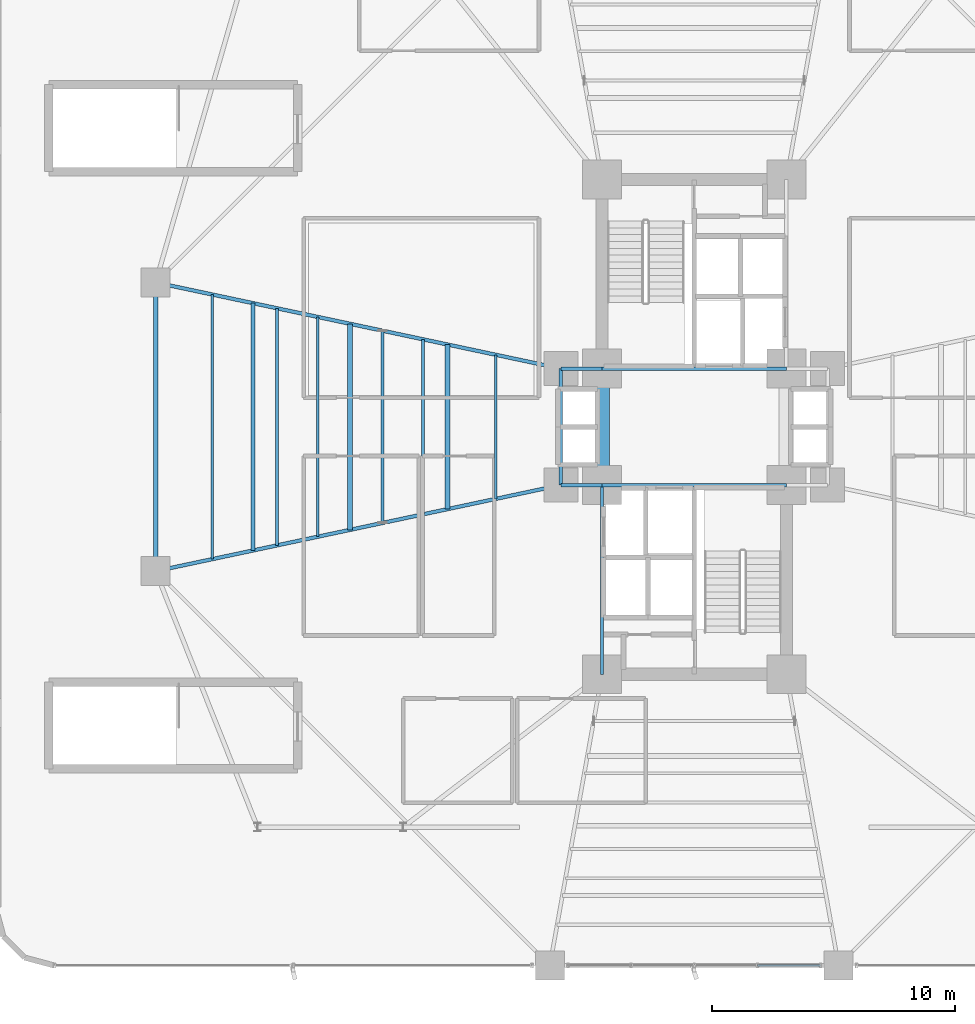
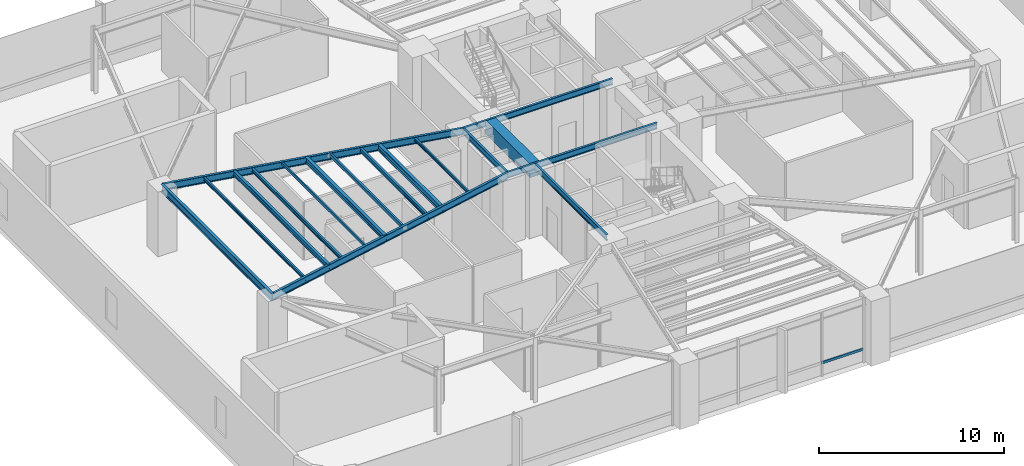
# One storey, part 8 of 26: 19 beams, 1 member, 1 element without a shape of its own.
"""IFC4 building model written with IfcOpenShell, lengths in metres."""

import ifcopenshell
import ifcopenshell.guid

model = None  # the IFC model being written
_history = None  # IfcOwnerHistory: only IFC2X3 demands one
_inside = {}  # id of a spatial element -> (the spatial element, [elements in it])
_under = {}  # id of a project, library or spatial element -> (it, [spatial elements below it])
_declared = {}  # id of a project -> (the project, [libraries it declares])
_typed = {}  # id of a type object -> (the type object, [elements of that type])
_made_of = {}  # id of a material, layer set ... -> (it, [elements and type objects made of it])


def new_model(schema):
    """Start an empty IFC model of exactly this schema.

    Asked for "IFC4X3", IfcOpenShell would pick the latest addendum, in which some entities
    have other attributes; the version numbers below select the first issue.
    IFC2X3 requires an IfcOwnerHistory on every rooted entity: one is made here for all.
    """
    global model, _history
    if schema == "IFC4X3":
        model = ifcopenshell.file(schema_version=(4, 3, 0, 0))
    else:
        model = ifcopenshell.file(schema=schema)
    _inside.clear()
    _under.clear()
    _declared.clear()
    _typed.clear()
    _made_of.clear()
    _history = None
    if model.schema == "IFC2X3":
        org = make("IfcOrganization", Name="unknown")
        user = make(
            "IfcPersonAndOrganization",
            ThePerson=make("IfcPerson", FamilyName="unknown"),
            TheOrganization=org,
        )
        app = make(
            "IfcApplication",
            ApplicationDeveloper=org,
            Version="unknown",
            ApplicationFullName="unknown",
            ApplicationIdentifier="unknown",
        )
        _history = make(
            "IfcOwnerHistory",
            OwningUser=user,
            OwningApplication=app,
            ChangeAction="ADDED",
            CreationDate=0,
        )
    return model


def make(cls, **values):
    """One entity of the class cls with the attributes given. An attribute that is None is left unset."""
    return model.create_entity(
        cls, **{name: value for name, value in values.items() if value is not None}
    )


def rooted(cls, **values):
    """An entity with a GlobalId (a new one), such as an element, a storey or a relation."""
    return make(cls, GlobalId=ifcopenshell.guid.new(), OwnerHistory=_history, **values)


def si_unit(unit_type, name, prefix=None):
    """IfcSIUnit, for example si_unit("LENGTHUNIT", "METRE", prefix="MILLI")."""
    return make("IfcSIUnit", UnitType=unit_type, Prefix=prefix, Name=name)


def assignment(units):
    """IfcUnitAssignment: the units of a project."""
    return None if units is None else make("IfcUnitAssignment", Units=units)


def point(xyz):
    """IfcCartesianPoint."""
    return None if xyz is None else make("IfcCartesianPoint", Coordinates=xyz)


def direction(xyz):
    """IfcDirection."""
    return None if xyz is None else make("IfcDirection", DirectionRatios=xyz)


def frame(location, z_axis=None, x_axis=None):
    """IfcAxis2Placement3D, a coordinate frame: its origin and axes. An axis left out is left unset."""
    return make(
        "IfcAxis2Placement3D",
        Location=point(location),
        Axis=direction(z_axis),
        RefDirection=direction(x_axis),
    )


def frame_2d(location, x_axis=None):
    """IfcAxis2Placement2D, a coordinate frame in the plane: its origin and x axis."""
    return make(
        "IfcAxis2Placement2D", Location=point(location), RefDirection=direction(x_axis)
    )


def origin():
    """The frame at (0, 0, 0) with its axes left unset."""
    return frame((0.0, 0.0, 0.0))


def origin_2d():
    """The frame at (0, 0) in the plane with its x axis left unset."""
    return frame_2d((0.0, 0.0))


def place(relative_to, where):
    """IfcLocalPlacement: puts the frame where relative to a parent placement (None: the world)."""
    return make(
        "IfcLocalPlacement", PlacementRelTo=relative_to, RelativePlacement=where
    )


def context(
    kind, dimensions, precision=None, world=None, true_north=None, identifier=None
):
    """IfcGeometricRepresentationContext, for example the 3D "Model" context."""
    return make(
        "IfcGeometricRepresentationContext",
        ContextIdentifier=identifier,
        ContextType=kind,
        CoordinateSpaceDimension=dimensions,
        Precision=precision,
        WorldCoordinateSystem=world,
        TrueNorth=true_north,
    )


def subcontext(parent, identifier, kind, view, scale=None):
    """IfcGeometricRepresentationSubContext, for example "Body" below "Model"."""
    return make(
        "IfcGeometricRepresentationSubContext",
        ContextIdentifier=identifier,
        ContextType=kind,
        ParentContext=parent,
        TargetScale=scale,
        TargetView=view,
    )


def project(units=None, contexts=None):
    """IfcProject with its units and contexts."""
    return rooted(
        "IfcProject",
        Name="project",
        RepresentationContexts=contexts,
        UnitsInContext=assignment(units),
    )


def spatial(cls, under=None, at=None, **own):
    """A site, building, storey or space (cls), placed at a placement, below another one or the project."""
    s = rooted(cls, ObjectPlacement=at, **own)
    if under is not None:
        _under.setdefault(under.id(), (under, []))[1].append(s)
    return s


def profile(cls, at=None, kind="AREA", **sizes):
    """A parametric profile (cls). Its sizes go by their IFC names, for example OverallWidth=200.0."""
    return make(cls, ProfileType=kind, Position=at, **sizes)


def rectangle(**sizes):
    """IfcRectangleProfileDef."""
    return profile("IfcRectangleProfileDef", **sizes)


def hollow_rectangle(**sizes):
    """IfcRectangleHollowProfileDef."""
    return profile("IfcRectangleHollowProfileDef", **sizes)


def i_section(**sizes):
    """IfcIShapeProfileDef."""
    return profile("IfcIShapeProfileDef", **sizes)


def extrude(swept, where, along, depth):
    """IfcExtrudedAreaSolid: the profile swept, set in the frame where, extruded along a direction by depth."""
    return make(
        "IfcExtrudedAreaSolid",
        SweptArea=swept,
        Position=where,
        ExtrudedDirection=direction(along),
        Depth=depth,
    )


def shape(context_of_items, identifier, shape_type, items):
    """IfcShapeRepresentation: the items that make up one representation, for example the "Body"."""
    return make(
        "IfcShapeRepresentation",
        ContextOfItems=context_of_items,
        RepresentationIdentifier=identifier,
        RepresentationType=shape_type,
        Items=items,
    )


def source(mapping_origin, context_of_items, identifier, shape_type, items):
    """IfcRepresentationMap: a shape defined once, which mapped items show again and again."""
    return make(
        "IfcRepresentationMap",
        MappingOrigin=mapping_origin,
        MappedRepresentation=shape(context_of_items, identifier, shape_type, items),
    )


def transform(
    local_origin,
    x_axis=None,
    y_axis=None,
    z_axis=None,
    scale=None,
    scale2=None,
    scale3=None,
    uniform=True,
):
    """IfcCartesianTransformationOperator3D, or its non-uniform kind. x_axis, y_axis, z_axis: its Axis1, 2, 3."""
    if uniform:
        return make(
            "IfcCartesianTransformationOperator3D",
            Axis1=direction(x_axis),
            Axis2=direction(y_axis),
            LocalOrigin=point(local_origin),
            Scale=scale,
            Axis3=direction(z_axis),
        )
    return make(
        "IfcCartesianTransformationOperator3DnonUniform",
        Axis1=direction(x_axis),
        Axis2=direction(y_axis),
        LocalOrigin=point(local_origin),
        Scale=scale,
        Axis3=direction(z_axis),
        Scale2=scale2,
        Scale3=scale3,
    )


def mapped(mapping_source, mapping_target):
    """IfcMappedItem: shows the shape of a source again, moved by a transform."""
    return make(
        "IfcMappedItem", MappingSource=mapping_source, MappingTarget=mapping_target
    )


def material(Name=None, Category=None):
    """IfcMaterial."""
    return make("IfcMaterial", Name=Name, Category=Category)


def material_profile(
    of_material, cross_section, Name=None, Category=None, Priority=None
):
    """IfcMaterialProfile: a cross section and its material."""
    return make(
        "IfcMaterialProfile",
        Name=Name,
        Material=of_material,
        Profile=cross_section,
        Priority=Priority,
        Category=Category,
    )


def profile_set(profiles, Name=None, composite=None):
    """IfcMaterialProfileSet."""
    return make(
        "IfcMaterialProfileSet",
        Name=Name,
        MaterialProfiles=profiles,
        CompositeProfile=composite,
    )


def made_of(thing, what):
    """Note that an element or type object is made of a material, layer set ...; save() writes the relation."""
    if what is not None:
        _made_of.setdefault(what.id(), (what, []))[1].append(thing)
    return thing


def type_object(cls, material=None, **own):
    """A type object (cls), such as IfcWallType, which elements share."""
    return made_of(rooted(cls, **own), material)


def element(
    cls,
    number,
    at=None,
    inside=None,
    cuts=None,
    type_object=None,
    material=None,
    context=None,
    identifier="Body",
    shape_type=None,
    held_by="IfcProductDefinitionShape",
    body=None,
    shapes=None,
    **own,
):
    """One element of the class cls, such as IfcWall. Its Tag is "e" and its number.

    at: its placement. inside: the storey or other place that contains it. cuts: it is an
    opening in that element (IfcRelVoidsElement). A single representation is given by context,
    identifier, shape_type and body (its items); several are given by shapes. held_by: the class
    of the entity that holds the representations. save() writes the other relations.
    """
    e = rooted(cls, Tag="e%d" % number, ObjectPlacement=at, **own)
    if body is not None:
        shapes = [shape(context, identifier, shape_type, body)]
    if shapes is not None:
        e.Representation = make(held_by, Representations=shapes)
    if inside is not None:
        _inside.setdefault(inside.id(), (inside, []))[1].append(e)
    if cuts is not None:
        rooted(
            "IfcRelVoidsElement", RelatingBuildingElement=cuts, RelatedOpeningElement=e
        )
    if type_object is not None:
        _typed.setdefault(type_object.id(), (type_object, []))[1].append(e)
    return made_of(e, material)


def aggregate(whole, parts):
    """IfcRelAggregates: a whole, such as a stair, and the parts it consists of."""
    return rooted("IfcRelAggregates", RelatingObject=whole, RelatedObjects=parts)


def save(model, path):
    """Write the relations noted so far, then the file.

    IfcRelAggregates (storeys below a building ...), IfcRelContainedInSpatialStructure (elements
    in a storey), IfcRelDefinesByType, IfcRelAssociatesMaterial and IfcRelDeclares: one each for
    every whole, place, type object, material and project.
    """
    for whole, parts in _under.values():
        aggregate(whole, parts)
    for where, things in _inside.values():
        rooted(
            "IfcRelContainedInSpatialStructure",
            RelatedElements=things,
            RelatingStructure=where,
        )
    for kind, things in _typed.values():
        rooted("IfcRelDefinesByType", RelatedObjects=things, RelatingType=kind)
    for what, things in _made_of.values():
        rooted("IfcRelAssociatesMaterial", RelatedObjects=things, RelatingMaterial=what)
    for by, libraries in _declared.values():
        rooted("IfcRelDeclares", RelatingContext=by, RelatedDefinitions=libraries)
    model.write(path)


model = new_model("IFC4")

# Units and contexts
model_context = context("Model", 3, precision=1e-05, world=origin(), true_north=direction((0.0, 1.0)))
body_context = subcontext(model_context, "Body", "Model", "MODEL_VIEW")
ifc_project = project(units=[si_unit("LENGTHUNIT", "METRE"), si_unit("AREAUNIT", "SQUARE_METRE"), si_unit("VOLUMEUNIT", "CUBIC_METRE"), si_unit("PLANEANGLEUNIT", "RADIAN"), si_unit("MASSUNIT", "GRAM", prefix="KILO")], contexts=[model_context])

# Site, building, storey
site_placement = place(None, origin())
site = spatial("IfcSite", under=ifc_project, at=site_placement, CompositionType="ELEMENT")
building_placement = place(site_placement, origin())
building = spatial("IfcBuilding", under=site, at=building_placement, Name="Sahyath Konkavel Grand Hotel", CompositionType="ELEMENT")
storey_placement = place(building_placement, frame((0.0, 0.0, 18.60009765625)))
storey = spatial("IfcBuildingStorey", under=building, at=storey_placement, Name="L04", CompositionType="ELEMENT", Elevation=18.60009765625)

# Beams
ifc_material_1 = material(Name="Concrete C70/85", Category="concrete")
ifc_material_profile_1 = material_profile(ifc_material_1, rectangle(XDim=0.60009765625, YDim=0.89990234375, at=origin_2d()), Name="RC 600x900")
ifc_profile_set_1 = profile_set([ifc_material_profile_1], Name="Concrete C70/85")
beam_type_1 = type_object("IfcBeamType", Name="BM-CB600x900", PredefinedType="LINTEL", material=ifc_profile_set_1)
shared_shape_1 = source(origin(), body_context, "Body", "SweptSolid", [
    extrude(rectangle(XDim=0.60009765625, YDim=0.89990234375, at=origin_2d()), origin(), (0.0, 0.0, 1.0), 4.7998046875),
])
beam_1_placement = place(storey_placement, frame((-3.800048828125, -2.39990234375, 3.809814453125), z_axis=(0.0, 1.0, 0.0), x_axis=(-1.0, 0.0, 0.0)))
element("IfcBeam", 1, at=beam_1_placement, inside=storey, type_object=beam_type_1, Name="L04 Split-Core Coupling Beam West", PredefinedType="LINTEL", context=body_context, shape_type="MappedRepresentation", body=[
    mapped(shared_shape_1, transform((0.0, 0.0, 0.0), scale=1.0)),
])
ifc_material_2 = material(Name="Steel E350", Category="steel")
ifc_material_profile_2 = material_profile(ifc_material_2, i_section(OverallWidth=0.139892578125, OverallDepth=0.39990234375, WebThickness=0.0087890625, FlangeThickness=0.01611328125, FilletRadius=0.013916015625, at=origin_2d()), Name="ISMB 400")
ifc_profile_set_2 = profile_set([ifc_material_profile_2], Name="Steel E350")
beam_type_2 = type_object("IfcBeamType", Name="BM-ISMB400", PredefinedType="BEAM", material=ifc_profile_set_2)
shared_shape_2 = source(origin(), body_context, "Body", "SweptSolid", [
    extrude(i_section(OverallWidth=0.139892578125, OverallDepth=0.39990234375, WebThickness=0.0087890625, FlangeThickness=0.01611328125, FilletRadius=0.013916015625, at=origin_2d()), origin(), (0.0, 0.0, 1.0), 7.60009765625),
])
for number, where, z_axis, x_axis, name in (
    (2, (-3.800048828125, 2.39990234375, 4.059814453125), (1.0, 0.0, 0.0), (0.0, 1.0, 0.0), "str:bm:L04:NC-S"),
    (3, (-3.800048828125, -2.39990234375, 4.059814453125), (1.0, 0.0, 0.0), (0.0, 1.0, 0.0), "str:bm:L04:SC-N"),
):
    element("IfcBeam", number, at=place(storey_placement, frame(where, z_axis=z_axis, x_axis=x_axis)), inside=storey, type_object=beam_type_2, Name=name, PredefinedType="BEAM", context=body_context, shape_type="MappedRepresentation", body=[
        mapped(shared_shape_2, transform((0.0, 0.0, 0.0), scale=1.0)),
    ])
shared_shape_3 = source(origin(), body_context, "Body", "SweptSolid", [
    extrude(i_section(OverallWidth=0.139892578125, OverallDepth=0.39990234375, WebThickness=0.0087890625, FlangeThickness=0.01611328125, FilletRadius=0.013916015625, at=origin_2d()), origin(), (0.0, 0.0, 1.0), 7.800048828125),
])
beam_2_placement = place(storey_placement, frame((-3.800048828125, -10.199951171875, 4.059814453125), z_axis=(0.0, 1.0, 0.0), x_axis=(-1.0, 0.0, 0.0)))
element("IfcBeam", 4, at=beam_2_placement, inside=storey, type_object=beam_type_2, Name="str:bm:L04:SC-W", PredefinedType="BEAM", context=body_context, shape_type="MappedRepresentation", body=[
    mapped(shared_shape_3, transform((0.0, 0.0, 0.0), scale=1.0)),
])
shared_shape_4 = source(origin(), body_context, "Body", "SweptSolid", [
    extrude(i_section(OverallWidth=0.139892578125, OverallDepth=0.39990234375, WebThickness=0.0087890625, FlangeThickness=0.01611328125, FilletRadius=0.013916015625, at=origin_2d()), origin(), (0.0, 0.0, 1.0), 1.699951171875),
])
for number, where, z_axis, x_axis, name in (
    (5, (-5.5, 2.39990234375, 4.059814453125), (1.0, 0.0, 0.0), (0.0, 1.0, 0.0), "str:bm:L04:HB-NW"),
    (6, (-5.5, -2.39990234375, 4.059814453125), (1.0, 0.0, 0.0), (0.0, 1.0, 0.0), "str:bm:L04:HB-SW"),
):
    element("IfcBeam", number, at=place(storey_placement, frame(where, z_axis=z_axis, x_axis=x_axis)), inside=storey, type_object=beam_type_2, Name=name, PredefinedType="BEAM", context=body_context, shape_type="MappedRepresentation", body=[
        mapped(shared_shape_4, transform((0.0, 0.0, 0.0), scale=1.0)),
    ])
shared_shape_5 = source(origin(), body_context, "Body", "SweptSolid", [
    extrude(i_section(OverallWidth=0.139892578125, OverallDepth=0.39990234375, WebThickness=0.0087890625, FlangeThickness=0.01611328125, FilletRadius=0.013916015625, at=origin_2d()), origin(), (0.0, 0.0, 1.0), 4.7998046875),
])
beam_3_placement = place(storey_placement, frame((-5.5, -2.39990234375, 4.059814453125), z_axis=(0.0, 1.0, 0.0), x_axis=(-1.0, 0.0, 0.0)))
element("IfcBeam", 7, at=beam_3_placement, inside=storey, type_object=beam_type_2, Name="str:bm:L04:HB-W", PredefinedType="BEAM", context=body_context, shape_type="MappedRepresentation", body=[
    mapped(shared_shape_5, transform((0.0, 0.0, 0.0), scale=1.0)),
])
ifc_material_profile_3 = material_profile(ifc_material_2, i_section(OverallWidth=0.179931640625, OverallDepth=0.5, WebThickness=0.01025390625, FlangeThickness=0.01708984375, FilletRadius=0.01708984375, at=origin_2d()), Name="ISMB 500")
ifc_profile_set_3 = profile_set([ifc_material_profile_3], Name="Steel E350")
beam_type_3 = type_object("IfcBeamType", Name="BM-ISMB500", PredefinedType="BEAM", material=ifc_profile_set_3)
shared_shape_6 = source(origin(), body_context, "Body", "SweptSolid", [
    extrude(i_section(OverallWidth=0.179931640625, OverallDepth=0.5, WebThickness=0.01025390625, FlangeThickness=0.01708984375, FilletRadius=0.01708984375, at=origin_2d()), origin(), (0.0, 0.0, 1.0), 11.89990234375),
])
beam_4_placement = place(storey_placement, frame((-22.199951171875, 5.949951171875, 4.010009765625), z_axis=(0.0, -1.0, 0.0), x_axis=(1.0, 0.0, 0.0)))
element("IfcBeam", 8, at=beam_4_placement, inside=storey, type_object=beam_type_3, Name="L04 Wing Tip Edge Beam W", PredefinedType="BEAM", context=body_context, shape_type="MappedRepresentation", body=[
    mapped(shared_shape_6, transform((0.0, 0.0, 0.0), scale=1.0)),
])
ifc_material_profile_4 = material_profile(ifc_material_2, i_section(OverallWidth=0.199951171875, OverallDepth=0.39990234375, WebThickness=0.008544921875, FlangeThickness=0.012939453125, FilletRadius=0.014892578125, at=origin_2d()), Name="ISWB 400")
ifc_profile_set_4 = profile_set([ifc_material_profile_4], Name="Steel E350")
beam_type_4 = type_object("IfcBeamType", Name="BM-ISWB400", PredefinedType="BEAM", material=ifc_profile_set_4)
shared_shape_7 = source(origin(), body_context, "Body", "SweptSolid", [
    extrude(i_section(OverallWidth=0.199951171875, OverallDepth=0.39990234375, WebThickness=0.008544921875, FlangeThickness=0.012939453125, FilletRadius=0.014892578125, at=origin_2d()), origin(), (0.0, 0.0, 1.0), 6.7880859375),
])
beam_5_placement = place(storey_placement, frame((-10.176025390625, 3.39404296875, 4.059814453125), z_axis=(0.0, -1.0, 0.0), x_axis=(1.0, 0.0, 0.0)))
element("IfcBeam", 9, at=beam_5_placement, inside=storey, type_object=beam_type_4, Name="L04 Secondary Floor Beam W-1", PredefinedType="BEAM", context=body_context, shape_type="MappedRepresentation", body=[
    mapped(shared_shape_7, transform((0.0, 0.0, 0.0), scale=1.0)),
])
ifc_material_profile_5 = material_profile(ifc_material_2, i_section(OverallWidth=0.199951171875, OverallDepth=0.35009765625, WebThickness=0.008056640625, FlangeThickness=0.011474609375, FilletRadius=0.013916015625, at=origin_2d()), Name="ISWB 350")
ifc_profile_set_5 = profile_set([ifc_material_profile_5], Name="Steel E350")
beam_type_5 = type_object("IfcBeamType", Name="BM-ISWB350", PredefinedType="BEAM", material=ifc_profile_set_5)
shared_shape_8 = source(origin(), body_context, "Body", "SweptSolid", [
    extrude(i_section(OverallWidth=0.199951171875, OverallDepth=0.35009765625, WebThickness=0.008056640625, FlangeThickness=0.011474609375, FilletRadius=0.013916015625, at=origin_2d()), origin(), (0.0, 0.0, 1.0), 8.4921875),
])
beam_6_placement = place(storey_placement, frame((-14.18408203125, 4.24609375, 4.0849609375), z_axis=(0.0, -1.0, 0.0), x_axis=(1.0, 0.0, 0.0)))
element("IfcBeam", 10, at=beam_6_placement, inside=storey, type_object=beam_type_5, Name="L04 Secondary Floor Beam W-2", PredefinedType="BEAM", context=body_context, shape_type="MappedRepresentation", body=[
    mapped(shared_shape_8, transform((0.0, 0.0, 0.0), scale=1.0)),
])
ifc_material_profile_6 = material_profile(ifc_material_2, i_section(OverallWidth=0.1650390625, OverallDepth=0.324951171875, WebThickness=0.007080078125, FlangeThickness=0.009765625, FilletRadius=0.014892578125, at=origin_2d()), Name="ISLB 325")
ifc_profile_set_6 = profile_set([ifc_material_profile_6], Name="Steel E350")
beam_type_6 = type_object("IfcBeamType", Name="BM-ISLB325", PredefinedType="BEAM", material=ifc_profile_set_6)
shared_shape_9 = source(origin(), body_context, "Body", "SweptSolid", [
    extrude(i_section(OverallWidth=0.1650390625, OverallDepth=0.324951171875, WebThickness=0.007080078125, FlangeThickness=0.009765625, FilletRadius=0.014892578125, at=origin_2d()), origin(), (0.0, 0.0, 1.0), 10.19580078125),
])
beam_7_placement = place(storey_placement, frame((-18.19189453125, 5.097900390625, 4.097412109375), z_axis=(0.0, -1.0, 0.0), x_axis=(1.0, 0.0, 0.0)))
element("IfcBeam", 11, at=beam_7_placement, inside=storey, type_object=beam_type_6, Name="L04 Secondary Floor Beam W-3", PredefinedType="BEAM", context=body_context, shape_type="MappedRepresentation", body=[
    mapped(shared_shape_9, transform((0.0, 0.0, 0.0), scale=1.0)),
])
ifc_material_profile_7 = material_profile(ifc_material_2, i_section(OverallWidth=0.14990234375, OverallDepth=0.449951171875, WebThickness=0.009521484375, FlangeThickness=0.017333984375, FilletRadius=0.014892578125, at=origin_2d()), Name="ISMB 450")
ifc_profile_set_7 = profile_set([ifc_material_profile_7], Name="Steel E350")
beam_type_7 = type_object("IfcBeamType", Name="BM-ISMB450", PredefinedType="BEAM", material=ifc_profile_set_7)
shared_shape_10 = source(origin(), body_context, "Body", "SweptSolid", [
    extrude(i_section(OverallWidth=0.14990234375, OverallDepth=0.449951171875, WebThickness=0.009521484375, FlangeThickness=0.017333984375, FilletRadius=0.014892578125, at=origin_2d()), origin(), (0.0, 0.0, 1.0), 17.072998046875),
])
for number, where, z_axis, x_axis, name in (
    (12, (-5.5, 2.39990234375, 4.034912109375), (-0.978143257225, 0.20793212437, 0.0), (-0.20793212437, -0.978143257225, 0.0), "L04 Cruciform Radial Girder WA"),
    (13, (-5.5, -2.39990234375, 4.034912109375), (-0.978143257225, -0.20793212437, 0.0), (0.20793212437, -0.978143257225, 0.0), "L04 Cruciform Radial Girder WB"),
):
    element("IfcBeam", number, at=place(storey_placement, frame(where, z_axis=z_axis, x_axis=x_axis)), inside=storey, type_object=beam_type_7, Name=name, PredefinedType="BEAM", context=body_context, shape_type="MappedRepresentation", body=[
        mapped(shared_shape_10, transform((0.0, 0.0, 0.0), scale=1.0)),
    ])
ifc_material_profile_8 = material_profile(ifc_material_2, i_section(OverallWidth=0.10009765625, OverallDepth=0.199951171875, WebThickness=0.005615234375, FlangeThickness=0.0107421875, FilletRadius=0.010986328125, at=origin_2d()), Name="ISMB 200")
ifc_profile_set_8 = profile_set([ifc_material_profile_8], Name="Steel E350")
beam_type_8 = type_object("IfcBeamType", Name="BM-ISMB200", PredefinedType="BEAM", material=ifc_profile_set_8)
shared_shape_11 = source(origin(), body_context, "Body", "SweptSolid", [
    extrude(i_section(OverallWidth=0.10009765625, OverallDepth=0.199951171875, WebThickness=0.005615234375, FlangeThickness=0.0107421875, FilletRadius=0.010986328125, at=origin_2d()), origin(), (0.0, 0.0, 1.0), 5.93603515625),
])
beam_8_placement = place(storey_placement, frame((-8.172119140625, 2.968017578125, 4.099853515625), z_axis=(0.0, -1.0, 0.0), x_axis=(1.0, 0.0, 0.0)))
element("IfcBeam", 14, at=beam_8_placement, inside=storey, type_object=beam_type_8, Name="L04 Composite Deck Sub-Beam W-1", PredefinedType="BEAM", context=body_context, shape_type="MappedRepresentation", body=[
    mapped(shared_shape_11, transform((0.0, 0.0, 0.0), scale=1.0)),
])
ifc_material_profile_9 = material_profile(ifc_material_2, i_section(OverallWidth=0.139892578125, OverallDepth=0.27490234375, WebThickness=0.00634765625, FlangeThickness=0.0087890625, FilletRadius=0.012939453125, at=origin_2d()), Name="ISLB 275")
ifc_profile_set_9 = profile_set([ifc_material_profile_9], Name="Steel E350")
beam_type_9 = type_object("IfcBeamType", Name="BM-ISLB275", PredefinedType="BEAM", material=ifc_profile_set_9)
shared_shape_12 = source(origin(), body_context, "Body", "SweptSolid", [
    extrude(i_section(OverallWidth=0.139892578125, OverallDepth=0.27490234375, WebThickness=0.00634765625, FlangeThickness=0.0087890625, FilletRadius=0.012939453125, at=origin_2d()), origin(), (0.0, 0.0, 1.0), 7.2138671875),
])
beam_9_placement = place(storey_placement, frame((-11.177978515625, 3.60693359375, 4.0625), z_axis=(0.0, -1.0, 0.0), x_axis=(1.0, 0.0, 0.0)))
element("IfcBeam", 15, at=beam_9_placement, inside=storey, type_object=beam_type_9, Name="L04 Composite Deck Sub-Beam W-2", PredefinedType="BEAM", context=body_context, shape_type="MappedRepresentation", body=[
    mapped(shared_shape_12, transform((0.0, 0.0, 0.0), scale=1.0)),
])
ifc_material_profile_10 = material_profile(ifc_material_2, hollow_rectangle(XDim=0.1201171875, YDim=0.219970703125, WallThickness=0.010009765625, at=origin_2d()), Name="RHS 220x120x10")
ifc_profile_set_10 = profile_set([ifc_material_profile_10], Name="Steel E350")
beam_type_10 = type_object("IfcBeamType", Name="BM-RHS220", PredefinedType="BEAM", material=ifc_profile_set_10)
shared_shape_13 = source(origin(), body_context, "Body", "SweptSolid", [
    extrude(hollow_rectangle(XDim=0.1201171875, YDim=0.219970703125, WallThickness=0.010009765625, at=origin_2d()), origin(), (0.0, 0.0, 1.0), 7.923828125),
])
beam_10_placement = place(storey_placement, frame((-12.847900390625, 3.9619140625, 4.08984375), z_axis=(0.0, -1.0, 0.0), x_axis=(1.0, 0.0, 0.0)))
element("IfcBeam", 16, at=beam_10_placement, inside=storey, type_object=beam_type_10, Name="L04 Composite Deck Sub-Beam W-3", PredefinedType="BEAM", context=body_context, shape_type="MappedRepresentation", body=[
    mapped(shared_shape_13, transform((0.0, 0.0, 0.0), scale=1.0)),
])
ifc_material_profile_11 = material_profile(ifc_material_2, hollow_rectangle(XDim=0.090087890625, YDim=0.179931640625, WallThickness=0.008056640625, at=origin_2d()), Name="RHS 180x90x8")
ifc_profile_set_11 = profile_set([ifc_material_profile_11], Name="Steel E350")
beam_type_11 = type_object("IfcBeamType", Name="BM-RHS180", PredefinedType="BEAM", material=ifc_profile_set_11)
shared_shape_14 = source(origin(), body_context, "Body", "SweptSolid", [
    extrude(hollow_rectangle(XDim=0.090087890625, YDim=0.179931640625, WallThickness=0.008056640625, at=origin_2d()), origin(), (0.0, 0.0, 1.0), 9.06005859375),
])
beam_11_placement = place(storey_placement, frame((-15.52001953125, 4.530029296875, 4.10986328125), z_axis=(0.0, -1.0, 0.0), x_axis=(1.0, 0.0, 0.0)))
element("IfcBeam", 17, at=beam_11_placement, inside=storey, type_object=beam_type_11, Name="L04 Composite Deck Sub-Beam W-4", PredefinedType="BEAM", context=body_context, shape_type="MappedRepresentation", body=[
    mapped(shared_shape_14, transform((0.0, 0.0, 0.0), scale=1.0)),
])
ifc_material_profile_12 = material_profile(ifc_material_2, i_section(OverallWidth=0.125, OverallDepth=0.25, WebThickness=0.0068359375, FlangeThickness=0.012451171875, FilletRadius=0.012939453125, at=origin_2d()), Name="ISMB 250")
ifc_profile_set_12 = profile_set([ifc_material_profile_12], Name="Steel E350")
beam_type_12 = type_object("IfcBeamType", Name="BM-ISMB250", PredefinedType="BEAM", material=ifc_profile_set_12)
shared_shape_15 = source(origin(), body_context, "Body", "SweptSolid", [
    extrude(i_section(OverallWidth=0.125, OverallDepth=0.25, WebThickness=0.0068359375, FlangeThickness=0.012451171875, FilletRadius=0.012939453125, at=origin_2d()), origin(), (0.0, 0.0, 1.0), 9.77001953125),
])
beam_12_placement = place(storey_placement, frame((-17.18994140625, 4.885009765625, 4.074951171875), z_axis=(0.0, -1.0, 0.0), x_axis=(1.0, 0.0, 0.0)))
element("IfcBeam", 18, at=beam_12_placement, inside=storey, type_object=beam_type_12, Name="L04 Composite Deck Sub-Beam W-5", PredefinedType="BEAM", context=body_context, shape_type="MappedRepresentation", body=[
    mapped(shared_shape_15, transform((0.0, 0.0, 0.0), scale=1.0)),
])
ifc_material_profile_13 = material_profile(ifc_material_2, i_section(OverallWidth=0.110107421875, OverallDepth=0.22509765625, WebThickness=0.006591796875, FlangeThickness=0.01171875, FilletRadius=0.011962890625, at=origin_2d()), Name="ISMB 225")
ifc_profile_set_13 = profile_set([ifc_material_profile_13], Name="Steel E350")
beam_type_13 = type_object("IfcBeamType", Name="BM-ISMB225", PredefinedType="BEAM", material=ifc_profile_set_13)
shared_shape_16 = source(origin(), body_context, "Body", "SweptSolid", [
    extrude(i_section(OverallWidth=0.110107421875, OverallDepth=0.22509765625, WebThickness=0.006591796875, FlangeThickness=0.01171875, FilletRadius=0.011962890625, at=origin_2d()), origin(), (0.0, 0.0, 1.0), 10.90576171875),
])
beam_13_placement = place(storey_placement, frame((-19.862060546875, 5.452880859375, 4.08740234375), z_axis=(0.0, -1.0, 0.0), x_axis=(1.0, 0.0, 0.0)))
element("IfcBeam", 19, at=beam_13_placement, inside=storey, type_object=beam_type_13, Name="L04 Composite Deck Sub-Beam W-6", PredefinedType="BEAM", context=body_context, shape_type="MappedRepresentation", body=[
    mapped(shared_shape_16, transform((0.0, 0.0, 0.0), scale=1.0)),
])

# Curtain wall, member
ifc_material_3 = material(Name="Anodised Bronze Aluminium & Low-E Glazing", Category="aluminium")
curtain_wall_type = type_object("IfcCurtainWallType", Name="CW-PODIUM", PredefinedType="NOTDEFINED", material=ifc_material_3)
curtain_wall_placement = place(storey_placement, origin())
curtain_wall = element("IfcCurtainWall", 20, at=curtain_wall_placement, inside=storey, type_object=curtain_wall_type, Name="L04 Unitised Curtain Wall S2", PredefinedType="NOTDEFINED")
ifc_material_4 = material(Name="Anodised Bronze Aluminium", Category="aluminium")
ifc_material_profile_14 = material_profile(ifc_material_4, hollow_rectangle(XDim=0.080078125, YDim=0.159912109375, WallThickness=0.006103515625, at=origin_2d()), Name="RHS 160x80x6")
ifc_profile_set_14 = profile_set([ifc_material_profile_14], Name="Anodised Bronze Aluminium")
member_type = type_object("IfcMemberType", Name="CW-TRN-160", PredefinedType="USERDEFINED", material=ifc_profile_set_14)
shared_shape_17 = source(origin(), body_context, "Body", "SweptSolid", [
    extrude(hollow_rectangle(XDim=0.080078125, YDim=0.159912109375, WallThickness=0.006103515625, at=origin_2d()), origin(), (0.0, 0.0, 1.0), 2.60498046875),
])
member_placement = place(storey_placement, frame((2.60498046875, -22.199951171875, 0.849853515625), z_axis=(1.0, 0.0, 0.0), x_axis=(0.0, 1.0, 0.0)))
member = element("IfcMember", 21, at=member_placement, type_object=member_type, Name="L04 Curtain Wall Transom S2-3-spandrel", ObjectType="TRANSOM", PredefinedType="USERDEFINED", context=body_context, shape_type="MappedRepresentation", body=[
    mapped(shared_shape_17, transform((0.0, 0.0, 0.0), scale=1.0)),
])
aggregate(curtain_wall, [member])

save(model, "model.ifc")
